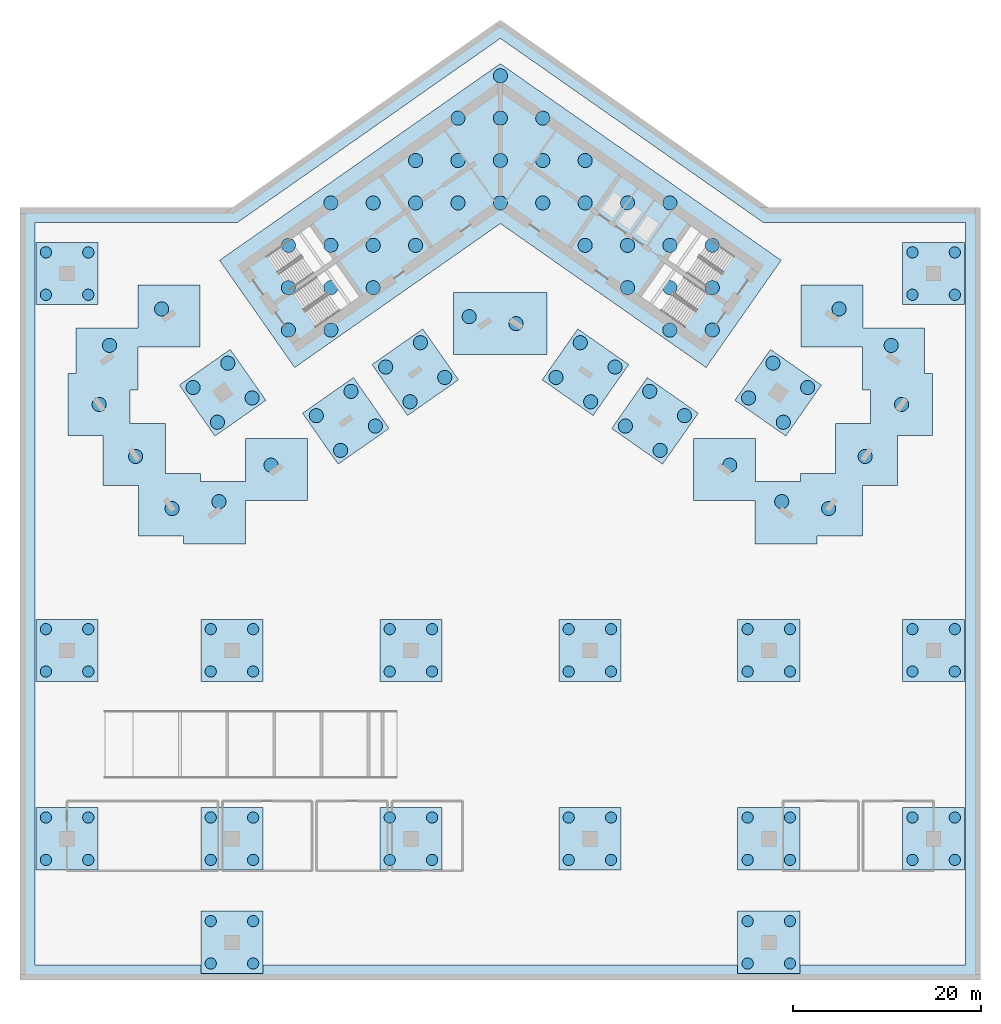
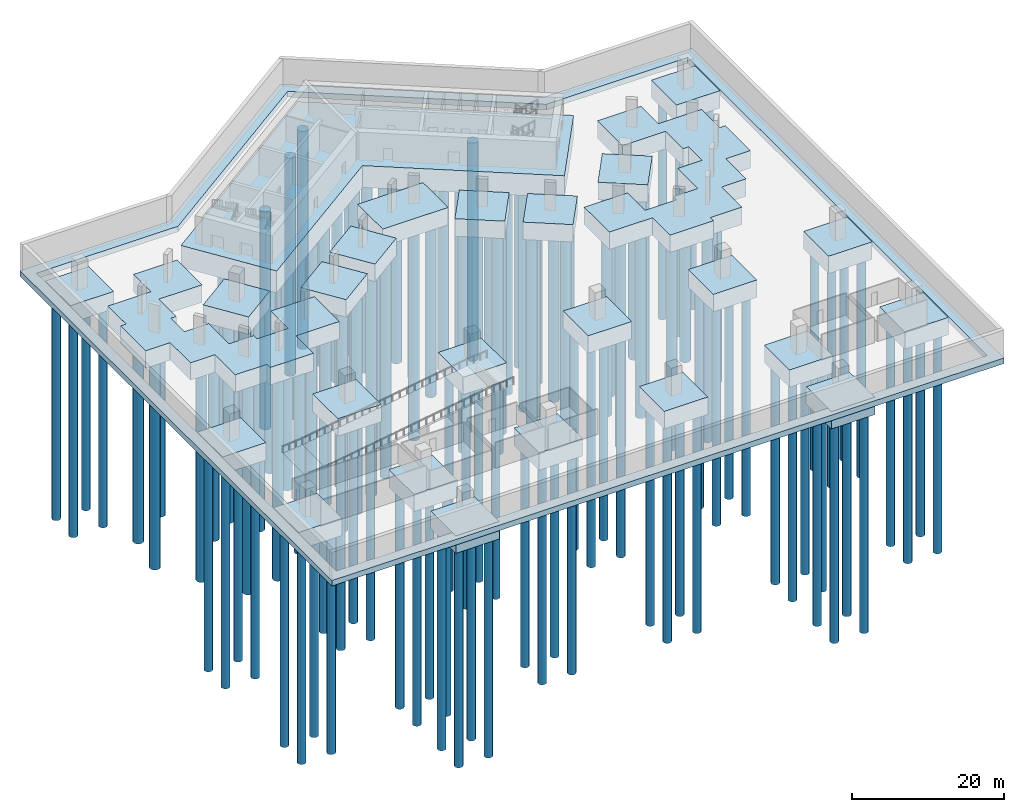
# One storey, part 1 of 13: 140 piles, 27 footings.
"""IFC4 building model written with IfcOpenShell, lengths in metres."""

import ifcopenshell
import ifcopenshell.guid

model = None  # the IFC model being written
_history = None  # IfcOwnerHistory: only IFC2X3 demands one
_inside = {}  # id of a spatial element -> (the spatial element, [elements in it])
_under = {}  # id of a project, library or spatial element -> (it, [spatial elements below it])
_declared = {}  # id of a project -> (the project, [libraries it declares])
_typed = {}  # id of a type object -> (the type object, [elements of that type])
_made_of = {}  # id of a material, layer set ... -> (it, [elements and type objects made of it])


def new_model(schema):
    """Start an empty IFC model of exactly this schema.

    Asked for "IFC4X3", IfcOpenShell would pick the latest addendum, in which some entities
    have other attributes; the version numbers below select the first issue.
    IFC2X3 requires an IfcOwnerHistory on every rooted entity: one is made here for all.
    """
    global model, _history
    if schema == "IFC4X3":
        model = ifcopenshell.file(schema_version=(4, 3, 0, 0))
    else:
        model = ifcopenshell.file(schema=schema)
    _inside.clear()
    _under.clear()
    _declared.clear()
    _typed.clear()
    _made_of.clear()
    _history = None
    if model.schema == "IFC2X3":
        org = make("IfcOrganization", Name="unknown")
        user = make(
            "IfcPersonAndOrganization",
            ThePerson=make("IfcPerson", FamilyName="unknown"),
            TheOrganization=org,
        )
        app = make(
            "IfcApplication",
            ApplicationDeveloper=org,
            Version="unknown",
            ApplicationFullName="unknown",
            ApplicationIdentifier="unknown",
        )
        _history = make(
            "IfcOwnerHistory",
            OwningUser=user,
            OwningApplication=app,
            ChangeAction="ADDED",
            CreationDate=0,
        )
    return model


def make(cls, **values):
    """One entity of the class cls with the attributes given. An attribute that is None is left unset."""
    return model.create_entity(
        cls, **{name: value for name, value in values.items() if value is not None}
    )


def rooted(cls, **values):
    """An entity with a GlobalId (a new one), such as an element, a storey or a relation."""
    return make(cls, GlobalId=ifcopenshell.guid.new(), OwnerHistory=_history, **values)


def si_unit(unit_type, name, prefix=None):
    """IfcSIUnit, for example si_unit("LENGTHUNIT", "METRE", prefix="MILLI")."""
    return make("IfcSIUnit", UnitType=unit_type, Prefix=prefix, Name=name)


def assignment(units):
    """IfcUnitAssignment: the units of a project."""
    return None if units is None else make("IfcUnitAssignment", Units=units)


def point(xyz):
    """IfcCartesianPoint."""
    return None if xyz is None else make("IfcCartesianPoint", Coordinates=xyz)


def direction(xyz):
    """IfcDirection."""
    return None if xyz is None else make("IfcDirection", DirectionRatios=xyz)


def frame(location, z_axis=None, x_axis=None):
    """IfcAxis2Placement3D, a coordinate frame: its origin and axes. An axis left out is left unset."""
    return make(
        "IfcAxis2Placement3D",
        Location=point(location),
        Axis=direction(z_axis),
        RefDirection=direction(x_axis),
    )


def frame_2d(location, x_axis=None):
    """IfcAxis2Placement2D, a coordinate frame in the plane: its origin and x axis."""
    return make(
        "IfcAxis2Placement2D", Location=point(location), RefDirection=direction(x_axis)
    )


def origin():
    """The frame at (0, 0, 0) with its axes left unset."""
    return frame((0.0, 0.0, 0.0))


def origin_2d():
    """The frame at (0, 0) in the plane with its x axis left unset."""
    return frame_2d((0.0, 0.0))


def place(relative_to, where):
    """IfcLocalPlacement: puts the frame where relative to a parent placement (None: the world)."""
    return make(
        "IfcLocalPlacement", PlacementRelTo=relative_to, RelativePlacement=where
    )


def context(
    kind, dimensions, precision=None, world=None, true_north=None, identifier=None
):
    """IfcGeometricRepresentationContext, for example the 3D "Model" context."""
    return make(
        "IfcGeometricRepresentationContext",
        ContextIdentifier=identifier,
        ContextType=kind,
        CoordinateSpaceDimension=dimensions,
        Precision=precision,
        WorldCoordinateSystem=world,
        TrueNorth=true_north,
    )


def subcontext(parent, identifier, kind, view, scale=None):
    """IfcGeometricRepresentationSubContext, for example "Body" below "Model"."""
    return make(
        "IfcGeometricRepresentationSubContext",
        ContextIdentifier=identifier,
        ContextType=kind,
        ParentContext=parent,
        TargetScale=scale,
        TargetView=view,
    )


def project(units=None, contexts=None):
    """IfcProject with its units and contexts."""
    return rooted(
        "IfcProject",
        Name="project",
        RepresentationContexts=contexts,
        UnitsInContext=assignment(units),
    )


def spatial(cls, under=None, at=None, **own):
    """A site, building, storey or space (cls), placed at a placement, below another one or the project."""
    s = rooted(cls, ObjectPlacement=at, **own)
    if under is not None:
        _under.setdefault(under.id(), (under, []))[1].append(s)
    return s


def polyline(points):
    """IfcPolyline through the points."""
    return make("IfcPolyline", Points=[point(p) for p in points])


def profile(cls, at=None, kind="AREA", **sizes):
    """A parametric profile (cls). Its sizes go by their IFC names, for example OverallWidth=200.0."""
    return make(cls, ProfileType=kind, Position=at, **sizes)


def circle(**sizes):
    """IfcCircleProfileDef."""
    return profile("IfcCircleProfileDef", **sizes)


def outline(outer, holes=None, kind="AREA"):
    """IfcArbitraryClosedProfileDef: a profile drawn as a closed curve; with holes, ...WithVoids."""
    if holes is None:
        return make("IfcArbitraryClosedProfileDef", ProfileType=kind, OuterCurve=outer)
    return make(
        "IfcArbitraryProfileDefWithVoids",
        ProfileType=kind,
        OuterCurve=outer,
        InnerCurves=holes,
    )


def extrude(swept, where, along, depth):
    """IfcExtrudedAreaSolid: the profile swept, set in the frame where, extruded along a direction by depth."""
    return make(
        "IfcExtrudedAreaSolid",
        SweptArea=swept,
        Position=where,
        ExtrudedDirection=direction(along),
        Depth=depth,
    )


def shape(context_of_items, identifier, shape_type, items):
    """IfcShapeRepresentation: the items that make up one representation, for example the "Body"."""
    return make(
        "IfcShapeRepresentation",
        ContextOfItems=context_of_items,
        RepresentationIdentifier=identifier,
        RepresentationType=shape_type,
        Items=items,
    )


def material(Name=None, Category=None):
    """IfcMaterial."""
    return make("IfcMaterial", Name=Name, Category=Category)


def layer(
    of_material, thickness, ventilated=None, Name=None, Category=None, Priority=None
):
    """IfcMaterialLayer: one layer of a wall or slab, of a material (None: an air gap)."""
    return make(
        "IfcMaterialLayer",
        Material=of_material,
        LayerThickness=thickness,
        IsVentilated=ventilated,
        Name=Name,
        Category=Category,
        Priority=Priority,
    )


def layer_set(layers, Name=None):
    """IfcMaterialLayerSet."""
    return make("IfcMaterialLayerSet", MaterialLayers=layers, LayerSetName=Name)


def material_profile(
    of_material, cross_section, Name=None, Category=None, Priority=None
):
    """IfcMaterialProfile: a cross section and its material."""
    return make(
        "IfcMaterialProfile",
        Name=Name,
        Material=of_material,
        Profile=cross_section,
        Priority=Priority,
        Category=Category,
    )


def profile_set(profiles, Name=None, composite=None):
    """IfcMaterialProfileSet."""
    return make(
        "IfcMaterialProfileSet",
        Name=Name,
        MaterialProfiles=profiles,
        CompositeProfile=composite,
    )


def made_of(thing, what):
    """Note that an element or type object is made of a material, layer set ...; save() writes the relation."""
    if what is not None:
        _made_of.setdefault(what.id(), (what, []))[1].append(thing)
    return thing


def type_object(cls, material=None, **own):
    """A type object (cls), such as IfcWallType, which elements share."""
    return made_of(rooted(cls, **own), material)


def element(
    cls,
    number,
    at=None,
    inside=None,
    cuts=None,
    type_object=None,
    material=None,
    context=None,
    identifier="Body",
    shape_type=None,
    held_by="IfcProductDefinitionShape",
    body=None,
    shapes=None,
    **own,
):
    """One element of the class cls, such as IfcWall. Its Tag is "e" and its number.

    at: its placement. inside: the storey or other place that contains it. cuts: it is an
    opening in that element (IfcRelVoidsElement). A single representation is given by context,
    identifier, shape_type and body (its items); several are given by shapes. held_by: the class
    of the entity that holds the representations. save() writes the other relations.
    """
    e = rooted(cls, Tag="e%d" % number, ObjectPlacement=at, **own)
    if body is not None:
        shapes = [shape(context, identifier, shape_type, body)]
    if shapes is not None:
        e.Representation = make(held_by, Representations=shapes)
    if inside is not None:
        _inside.setdefault(inside.id(), (inside, []))[1].append(e)
    if cuts is not None:
        rooted(
            "IfcRelVoidsElement", RelatingBuildingElement=cuts, RelatedOpeningElement=e
        )
    if type_object is not None:
        _typed.setdefault(type_object.id(), (type_object, []))[1].append(e)
    return made_of(e, material)


def aggregate(whole, parts):
    """IfcRelAggregates: a whole, such as a stair, and the parts it consists of."""
    return rooted("IfcRelAggregates", RelatingObject=whole, RelatedObjects=parts)


def save(model, path):
    """Write the relations noted so far, then the file.

    IfcRelAggregates (storeys below a building ...), IfcRelContainedInSpatialStructure (elements
    in a storey), IfcRelDefinesByType, IfcRelAssociatesMaterial and IfcRelDeclares: one each for
    every whole, place, type object, material and project.
    """
    for whole, parts in _under.values():
        aggregate(whole, parts)
    for where, things in _inside.values():
        rooted(
            "IfcRelContainedInSpatialStructure",
            RelatedElements=things,
            RelatingStructure=where,
        )
    for kind, things in _typed.values():
        rooted("IfcRelDefinesByType", RelatedObjects=things, RelatingType=kind)
    for what, things in _made_of.values():
        rooted("IfcRelAssociatesMaterial", RelatedObjects=things, RelatingMaterial=what)
    for by, libraries in _declared.values():
        rooted("IfcRelDeclares", RelatingContext=by, RelatedDefinitions=libraries)
    model.write(path)


model = new_model("IFC4")

# Units and contexts
model_context = context("Model", 3, precision=1e-05, world=origin(), true_north=direction((0.0, 1.0)))
body_context = subcontext(model_context, "Body", "Model", "MODEL_VIEW")
ifc_project = project(units=[si_unit("LENGTHUNIT", "METRE"), si_unit("AREAUNIT", "SQUARE_METRE"), si_unit("VOLUMEUNIT", "CUBIC_METRE"), si_unit("PLANEANGLEUNIT", "RADIAN"), si_unit("MASSUNIT", "GRAM", prefix="KILO")], contexts=[model_context])

# Site, building, storey
site_placement = place(None, origin())
site = spatial("IfcSite", under=ifc_project, at=site_placement, CompositionType="ELEMENT")
building_placement = place(site_placement, origin())
building = spatial("IfcBuilding", under=site, at=building_placement, Name="Tel Ilan Convention Tower", CompositionType="ELEMENT")
storey_placement = place(building_placement, frame((0.0, 0.0, -9.0)))
storey = spatial("IfcBuildingStorey", under=building, at=storey_placement, Name="B2", CompositionType="ELEMENT", Elevation=-9.0)

# Footing
ifc_material_1 = material(Name="Concrete C40/50", Category="concrete")
footing_type_1 = type_object("IfcFootingType", Name="Basement Wall Strip Footing 1600x900", PredefinedType="STRIP_FOOTING", material=ifc_material_1)
footing_1_placement = place(storey_placement, frame((0.0, 0.0, -0.89990234375)))
element("IfcFooting", 1, at=footing_1_placement, inside=storey, type_object=footing_type_1, Name="Basement wall strip footing", PredefinedType="STRIP_FOOTING", context=body_context, shape_type="SweptSolid", body=[
    extrude(outline(polyline([(-51.0, -83.0), (51.0, -83.0), (51.0, -1.0), (28.45166015625, -1.0), (0.0, 18.922119140625), (-28.45166015625, -1.0), (-51.0, -1.0), (-51.0, -83.0)]), holes=[polyline([(-49.39990234375, -81.39990234375), (-49.39990234375, -2.60009765625), (-27.947021484375, -2.60009765625), (0.0, 16.96875), (27.947021484375, -2.60009765625), (49.39990234375, -2.60009765625), (49.39990234375, -81.39990234375), (-49.39990234375, -81.39990234375)])]), origin(), (0.0, 0.0, 1.0), 0.89990234375),
])

# Piles
ifc_material_2 = material(Name="Concrete C40/50", Category="concrete")
ifc_material_profile_1 = material_profile(ifc_material_2, circle(Radius=0.60009765625, at=origin_2d()), Name="BORED D1200")
ifc_profile_set_1 = profile_set([ifc_material_profile_1], Name="Concrete C40/50")
pile_type_1 = type_object("IfcPileType", Name="Bored Pile D1200 C40/50", PredefinedType="BORED", material=ifc_profile_set_1)
for number, where, z_axis, x_axis, name in (
    (2, (-30.75, -81.25, -2.800048828125), (0.0, 0.0, -1.0), (1.0, 0.0, 0.0), "Pile PC12-1"),
    (3, (-26.25, -81.25, -2.800048828125), (0.0, 0.0, -1.0), (1.0, 0.0, 0.0), "Pile PC12-2"),
    (4, (-26.25, -76.75, -2.800048828125), (0.0, 0.0, -1.0), (1.0, 0.0, 0.0), "Pile PC12-3"),
    (5, (-30.75, -76.75, -2.800048828125), (0.0, 0.0, -1.0), (1.0, 0.0, 0.0), "Pile PC12-4"),
    (6, (26.25, -81.25, -2.800048828125), (0.0, 0.0, -1.0), (1.0, 0.0, 0.0), "Pile PC15-1"),
    (7, (30.75, -81.25, -2.800048828125), (0.0, 0.0, -1.0), (1.0, 0.0, 0.0), "Pile PC15-2"),
    (8, (30.75, -76.75, -2.800048828125), (0.0, 0.0, -1.0), (1.0, 0.0, 0.0), "Pile PC15-3"),
    (9, (26.25, -76.75, -2.800048828125), (0.0, 0.0, -1.0), (1.0, 0.0, 0.0), "Pile PC15-4"),
    (10, (-48.25, -70.25, -2.800048828125), (0.0, 0.0, -1.0), (1.0, 0.0, 0.0), "Pile PC21-1"),
    (11, (-43.75, -70.25, -2.800048828125), (0.0, 0.0, -1.0), (1.0, 0.0, 0.0), "Pile PC21-2"),
    (12, (-43.75, -65.75, -2.800048828125), (0.0, 0.0, -1.0), (1.0, 0.0, 0.0), "Pile PC21-3"),
    (13, (-48.25, -65.75, -2.800048828125), (0.0, 0.0, -1.0), (1.0, 0.0, 0.0), "Pile PC21-4"),
    (14, (-30.75, -70.25, -2.800048828125), (0.0, 0.0, -1.0), (1.0, 0.0, 0.0), "Pile PC22-1"),
    (15, (-26.25, -70.25, -2.800048828125), (0.0, 0.0, -1.0), (1.0, 0.0, 0.0), "Pile PC22-2"),
    (16, (-26.25, -65.75, -2.800048828125), (0.0, 0.0, -1.0), (1.0, 0.0, 0.0), "Pile PC22-3"),
    (17, (-30.75, -65.75, -2.800048828125), (0.0, 0.0, -1.0), (1.0, 0.0, 0.0), "Pile PC22-4"),
    (18, (-11.75, -70.25, -2.800048828125), (0.0, 0.0, -1.0), (1.0, 0.0, 0.0), "Pile PC23-1"),
    (19, (-7.25, -70.25, -2.800048828125), (0.0, 0.0, -1.0), (1.0, 0.0, 0.0), "Pile PC23-2"),
    (20, (-7.25, -65.75, -2.800048828125), (0.0, 0.0, -1.0), (1.0, 0.0, 0.0), "Pile PC23-3"),
    (21, (-11.75, -65.75, -2.800048828125), (0.0, 0.0, -1.0), (1.0, 0.0, 0.0), "Pile PC23-4"),
    (22, (7.25, -70.25, -2.800048828125), (0.0, 0.0, -1.0), (1.0, 0.0, 0.0), "Pile PC24-1"),
    (23, (11.75, -70.25, -2.800048828125), (0.0, 0.0, -1.0), (1.0, 0.0, 0.0), "Pile PC24-2"),
    (24, (11.75, -65.75, -2.800048828125), (0.0, 0.0, -1.0), (1.0, 0.0, 0.0), "Pile PC24-3"),
    (25, (7.25, -65.75, -2.800048828125), (0.0, 0.0, -1.0), (1.0, 0.0, 0.0), "Pile PC24-4"),
    (26, (26.25, -70.25, -2.800048828125), (0.0, 0.0, -1.0), (1.0, 0.0, 0.0), "Pile PC25-1"),
    (27, (30.75, -70.25, -2.800048828125), (0.0, 0.0, -1.0), (1.0, 0.0, 0.0), "Pile PC25-2"),
    (28, (30.75, -65.75, -2.800048828125), (0.0, 0.0, -1.0), (1.0, 0.0, 0.0), "Pile PC25-3"),
    (29, (26.25, -65.75, -2.800048828125), (0.0, 0.0, -1.0), (1.0, 0.0, 0.0), "Pile PC25-4"),
    (30, (43.75, -70.25, -2.800048828125), (0.0, 0.0, -1.0), (1.0, 0.0, 0.0), "Pile PC26-1"),
    (31, (48.25, -70.25, -2.800048828125), (0.0, 0.0, -1.0), (1.0, 0.0, 0.0), "Pile PC26-2"),
    (32, (48.25, -65.75, -2.800048828125), (0.0, 0.0, -1.0), (1.0, 0.0, 0.0), "Pile PC26-3"),
    (33, (43.75, -65.75, -2.800048828125), (0.0, 0.0, -1.0), (1.0, 0.0, 0.0), "Pile PC26-4"),
    (34, (-48.25, -50.25, -2.800048828125), (0.0, 0.0, -1.0), (1.0, 0.0, 0.0), "Pile PC31-1"),
    (35, (-43.75, -50.25, -2.800048828125), (0.0, 0.0, -1.0), (1.0, 0.0, 0.0), "Pile PC31-2"),
    (36, (-43.75, -45.75, -2.800048828125), (0.0, 0.0, -1.0), (1.0, 0.0, 0.0), "Pile PC31-3"),
    (37, (-48.25, -45.75, -2.800048828125), (0.0, 0.0, -1.0), (1.0, 0.0, 0.0), "Pile PC31-4"),
    (38, (-30.75, -50.25, -2.800048828125), (0.0, 0.0, -1.0), (1.0, 0.0, 0.0), "Pile PC32-1"),
    (39, (-26.25, -50.25, -2.800048828125), (0.0, 0.0, -1.0), (1.0, 0.0, 0.0), "Pile PC32-2"),
    (40, (-26.25, -45.75, -2.800048828125), (0.0, 0.0, -1.0), (1.0, 0.0, 0.0), "Pile PC32-3"),
    (41, (-30.75, -45.75, -2.800048828125), (0.0, 0.0, -1.0), (1.0, 0.0, 0.0), "Pile PC32-4"),
    (42, (-11.75, -50.25, -2.800048828125), (0.0, 0.0, -1.0), (1.0, 0.0, 0.0), "Pile PC33-1"),
    (43, (-7.25, -50.25, -2.800048828125), (0.0, 0.0, -1.0), (1.0, 0.0, 0.0), "Pile PC33-2"),
    (44, (-7.25, -45.75, -2.800048828125), (0.0, 0.0, -1.0), (1.0, 0.0, 0.0), "Pile PC33-3"),
    (45, (-11.75, -45.75, -2.800048828125), (0.0, 0.0, -1.0), (1.0, 0.0, 0.0), "Pile PC33-4"),
    (46, (7.25, -50.25, -2.800048828125), (0.0, 0.0, -1.0), (1.0, 0.0, 0.0), "Pile PC34-1"),
    (47, (11.75, -50.25, -2.800048828125), (0.0, 0.0, -1.0), (1.0, 0.0, 0.0), "Pile PC34-2"),
    (48, (11.75, -45.75, -2.800048828125), (0.0, 0.0, -1.0), (1.0, 0.0, 0.0), "Pile PC34-3"),
    (49, (7.25, -45.75, -2.800048828125), (0.0, 0.0, -1.0), (1.0, 0.0, 0.0), "Pile PC34-4"),
    (50, (26.25, -50.25, -2.800048828125), (0.0, 0.0, -1.0), (1.0, 0.0, 0.0), "Pile PC35-1"),
    (51, (30.75, -50.25, -2.800048828125), (0.0, 0.0, -1.0), (1.0, 0.0, 0.0), "Pile PC35-2"),
    (52, (30.75, -45.75, -2.800048828125), (0.0, 0.0, -1.0), (1.0, 0.0, 0.0), "Pile PC35-3"),
    (53, (26.25, -45.75, -2.800048828125), (0.0, 0.0, -1.0), (1.0, 0.0, 0.0), "Pile PC35-4"),
    (54, (43.75, -50.25, -2.800048828125), (0.0, 0.0, -1.0), (1.0, 0.0, 0.0), "Pile PC36-1"),
    (55, (48.25, -50.25, -2.800048828125), (0.0, 0.0, -1.0), (1.0, 0.0, 0.0), "Pile PC36-2"),
    (56, (48.25, -45.75, -2.800048828125), (0.0, 0.0, -1.0), (1.0, 0.0, 0.0), "Pile PC36-3"),
    (57, (43.75, -45.75, -2.800048828125), (0.0, 0.0, -1.0), (1.0, 0.0, 0.0), "Pile PC36-4"),
    (58, (-48.25, -10.25, -2.800048828125), (0.0, 0.0, -1.0), (1.0, 0.0, 0.0), "Pile PC51-1"),
    (59, (-43.75, -10.25, -2.800048828125), (0.0, 0.0, -1.0), (1.0, 0.0, 0.0), "Pile PC51-2"),
    (60, (-43.75, -5.75, -2.800048828125), (0.0, 0.0, -1.0), (1.0, 0.0, 0.0), "Pile PC51-3"),
    (61, (-48.25, -5.75, -2.800048828125), (0.0, 0.0, -1.0), (1.0, 0.0, 0.0), "Pile PC51-4"),
    (62, (43.75, -10.25, -2.800048828125), (0.0, 0.0, -1.0), (1.0, 0.0, 0.0), "Pile PC56-1"),
    (63, (48.25, -10.25, -2.800048828125), (0.0, 0.0, -1.0), (1.0, 0.0, 0.0), "Pile PC56-2"),
    (64, (48.25, -5.75, -2.800048828125), (0.0, 0.0, -1.0), (1.0, 0.0, 0.0), "Pile PC56-3"),
    (65, (43.75, -5.75, -2.800048828125), (0.0, 0.0, -1.0), (1.0, 0.0, 0.0), "Pile PC56-4"),
):
    element("IfcPile", number, at=place(storey_placement, frame(where, z_axis=z_axis, x_axis=x_axis)), inside=storey, type_object=pile_type_1, Name=name, PredefinedType="BORED", context=body_context, shape_type="SweptSolid", body=[
        extrude(circle(Radius=0.60009765625, at=origin_2d()), origin(), (0.0, 0.0, 1.0), 35.0),
    ])
ifc_material_3 = material(Name="Concrete C40/50", Category="concrete")
ifc_material_profile_2 = material_profile(ifc_material_3, circle(Radius=0.75, at=origin_2d()), Name="BORED D1500")
ifc_profile_set_2 = profile_set([ifc_material_profile_2], Name="Concrete C40/50")
pile_type_2 = type_object("IfcPileType", Name="Bored Pile D1500 C40/50", PredefinedType="BORED", material=ifc_profile_set_2)
for number, where, z_axis, x_axis, name in (
    (66, (-8.485107421875, -15.34130859375, -2.800048828125), (0.0, 0.0, -1.0), (1.0, 0.0, 0.0), "Pile W-F2-1"),
    (67, (-12.17138671875, -17.92236328125, -2.800048828125), (0.0, 0.0, -1.0), (1.0, 0.0, 0.0), "Pile W-F2-2"),
    (68, (-9.590087890625, -21.608642578125, -2.800048828125), (0.0, 0.0, -1.0), (1.0, 0.0, 0.0), "Pile W-F2-3"),
    (69, (-5.904052734375, -19.027587890625, -2.800048828125), (0.0, 0.0, -1.0), (1.0, 0.0, 0.0), "Pile W-F2-4"),
    (70, (-15.857421875, -20.50341796875, -2.800048828125), (0.0, 0.0, -1.0), (1.0, 0.0, 0.0), "Pile W-F3-1"),
    (71, (-19.543701171875, -23.084716796875, -2.800048828125), (0.0, 0.0, -1.0), (1.0, 0.0, 0.0), "Pile W-F3-2"),
    (72, (-16.962646484375, -26.770751953125, -2.800048828125), (0.0, 0.0, -1.0), (1.0, 0.0, 0.0), "Pile W-F3-3"),
    (73, (-13.2763671875, -24.189697265625, -2.800048828125), (0.0, 0.0, -1.0), (1.0, 0.0, 0.0), "Pile W-F3-4"),
    (74, (-42.596923828125, -21.8916015625, -2.800048828125), (0.0, 0.0, -1.0), (1.0, 0.0, 0.0), "Pile W-B4-1"),
    (75, (-38.725341796875, -27.4208984375, -2.800048828125), (0.0, 0.0, -1.0), (1.0, 0.0, 0.0), "Pile W-B4-2"),
    (76, (-34.853759765625, -32.9501953125, -2.800048828125), (0.0, 0.0, -1.0), (1.0, 0.0, 0.0), "Pile W-B4-3"),
    (77, (-24.34765625, -28.340576171875, -2.800048828125), (0.0, 0.0, -1.0), (1.0, 0.0, 0.0), "Pile W-B4-4"),
    (78, (-35.962646484375, -11.752685546875, -2.800048828125), (0.0, 0.0, -1.0), (1.0, 0.0, 0.0), "Pile W-B4-5"),
    (79, (-29.876953125, -32.21240234375, -2.800048828125), (0.0, 0.0, -1.0), (1.0, 0.0, 0.0), "Pile W-B4-6"),
    (80, (-41.491943359375, -15.62451171875, -2.800048828125), (0.0, 0.0, -1.0), (1.0, 0.0, 0.0), "Pile W-B4-7"),
    (81, (-28.93701171875, -17.51513671875, -2.800048828125), (0.0, 0.0, -1.0), (1.0, 0.0, 0.0), "Pile W-M4-1"),
    (82, (-32.623046875, -20.09619140625, -2.800048828125), (0.0, 0.0, -1.0), (1.0, 0.0, 0.0), "Pile W-M4-2"),
    (83, (-30.0419921875, -23.782470703125, -2.800048828125), (0.0, 0.0, -1.0), (1.0, 0.0, 0.0), "Pile W-M4-3"),
    (84, (-26.355712890625, -21.201416015625, -2.800048828125), (0.0, 0.0, -1.0), (1.0, 0.0, 0.0), "Pile W-M4-4"),
    (85, (1.665283203125, -13.312744140625, -2.800048828125), (0.0, 0.0, -1.0), (1.0, 0.0, 0.0), "Pile E-F1-1"),
    (86, (-3.311279296875, -12.57470703125, -2.800048828125), (0.0, 0.0, -1.0), (1.0, 0.0, 0.0), "Pile E-F1-2"),
    (87, (5.904052734375, -19.027587890625, -2.800048828125), (0.0, 0.0, -1.0), (1.0, 0.0, 0.0), "Pile E-F2-1"),
    (88, (9.590087890625, -21.608642578125, -2.800048828125), (0.0, 0.0, -1.0), (1.0, 0.0, 0.0), "Pile E-F2-2"),
    (89, (12.17138671875, -17.92236328125, -2.800048828125), (0.0, 0.0, -1.0), (1.0, 0.0, 0.0), "Pile E-F2-3"),
    (90, (8.485107421875, -15.34130859375, -2.800048828125), (0.0, 0.0, -1.0), (1.0, 0.0, 0.0), "Pile E-F2-4"),
    (91, (13.2763671875, -24.189697265625, -2.800048828125), (0.0, 0.0, -1.0), (1.0, 0.0, 0.0), "Pile E-F3-1"),
    (92, (16.962646484375, -26.770751953125, -2.800048828125), (0.0, 0.0, -1.0), (1.0, 0.0, 0.0), "Pile E-F3-2"),
    (93, (19.543701171875, -23.084716796875, -2.800048828125), (0.0, 0.0, -1.0), (1.0, 0.0, 0.0), "Pile E-F3-3"),
    (94, (15.857421875, -20.50341796875, -2.800048828125), (0.0, 0.0, -1.0), (1.0, 0.0, 0.0), "Pile E-F3-4"),
    (95, (42.596923828125, -21.8916015625, -2.800048828125), (0.0, 0.0, -1.0), (1.0, 0.0, 0.0), "Pile E-B4-1"),
    (96, (38.725341796875, -27.4208984375, -2.800048828125), (0.0, 0.0, -1.0), (1.0, 0.0, 0.0), "Pile E-B4-2"),
    (97, (34.853759765625, -32.9501953125, -2.800048828125), (0.0, 0.0, -1.0), (1.0, 0.0, 0.0), "Pile E-B4-3"),
    (98, (24.34765625, -28.340576171875, -2.800048828125), (0.0, 0.0, -1.0), (1.0, 0.0, 0.0), "Pile E-B4-4"),
    (99, (35.962646484375, -11.752685546875, -2.800048828125), (0.0, 0.0, -1.0), (1.0, 0.0, 0.0), "Pile E-B4-5"),
    (100, (29.876953125, -32.21240234375, -2.800048828125), (0.0, 0.0, -1.0), (1.0, 0.0, 0.0), "Pile E-B4-6"),
    (101, (41.491943359375, -15.62451171875, -2.800048828125), (0.0, 0.0, -1.0), (1.0, 0.0, 0.0), "Pile E-B4-7"),
    (102, (26.355712890625, -21.201416015625, -2.800048828125), (0.0, 0.0, -1.0), (1.0, 0.0, 0.0), "Pile E-M4-1"),
    (103, (30.0419921875, -23.782470703125, -2.800048828125), (0.0, 0.0, -1.0), (1.0, 0.0, 0.0), "Pile E-M4-2"),
    (104, (32.623046875, -20.09619140625, -2.800048828125), (0.0, 0.0, -1.0), (1.0, 0.0, 0.0), "Pile E-M4-3"),
    (105, (28.93701171875, -17.51513671875, -2.800048828125), (0.0, 0.0, -1.0), (1.0, 0.0, 0.0), "Pile E-M4-4"),
    (106, (-22.5, -14.0, -3.5), (0.0, 0.0, -1.0), (1.0, 0.0, 0.0), "Pile CORE-1"),
    (107, (-22.5, -9.5, -3.5), (0.0, 0.0, -1.0), (1.0, 0.0, 0.0), "Pile CORE-2"),
    (108, (-22.5, -5.0, -3.5), (0.0, 0.0, -1.0), (1.0, 0.0, 0.0), "Pile CORE-3"),
    (109, (-18.0, -14.0, -3.5), (0.0, 0.0, -1.0), (1.0, 0.0, 0.0), "Pile CORE-4"),
    (110, (-18.0, -9.5, -3.5), (0.0, 0.0, -1.0), (1.0, 0.0, 0.0), "Pile CORE-5"),
    (111, (-18.0, -5.0, -3.5), (0.0, 0.0, -1.0), (1.0, 0.0, 0.0), "Pile CORE-6"),
    (112, (-18.0, -0.5, -3.5), (0.0, 0.0, -1.0), (1.0, 0.0, 0.0), "Pile CORE-7"),
    (113, (-13.5, -9.5, -3.5), (0.0, 0.0, -1.0), (1.0, 0.0, 0.0), "Pile CORE-8"),
    (114, (-13.5, -5.0, -3.5), (0.0, 0.0, -1.0), (1.0, 0.0, 0.0), "Pile CORE-9"),
    (115, (-13.5, -0.5, -3.5), (0.0, 0.0, -1.0), (1.0, 0.0, 0.0), "Pile CORE-10"),
    (116, (-9.0, -5.0, -3.5), (0.0, 0.0, -1.0), (1.0, 0.0, 0.0), "Pile CORE-11"),
    (117, (-9.0, -0.5, -3.5), (0.0, 0.0, -1.0), (1.0, 0.0, 0.0), "Pile CORE-12"),
    (118, (-9.0, 4.0, -3.5), (0.0, 0.0, -1.0), (1.0, 0.0, 0.0), "Pile CORE-13"),
    (119, (-4.5, -0.5, -3.5), (0.0, 0.0, -1.0), (1.0, 0.0, 0.0), "Pile CORE-14"),
    (120, (-4.5, 4.0, -3.5), (0.0, 0.0, -1.0), (1.0, 0.0, 0.0), "Pile CORE-15"),
    (121, (-4.5, 8.5, -3.5), (0.0, 0.0, -1.0), (1.0, 0.0, 0.0), "Pile CORE-16"),
    (122, (0.0, -0.5, -3.5), (0.0, 0.0, -1.0), (1.0, 0.0, 0.0), "Pile CORE-17"),
    (123, (0.0, 4.0, -3.5), (0.0, 0.0, -1.0), (1.0, 0.0, 0.0), "Pile CORE-18"),
    (124, (0.0, 8.5, -3.5), (0.0, 0.0, -1.0), (1.0, 0.0, 0.0), "Pile CORE-19"),
    (125, (0.0, 13.0, -3.5), (0.0, 0.0, -1.0), (1.0, 0.0, 0.0), "Pile CORE-20"),
    (126, (4.5, -0.5, -3.5), (0.0, 0.0, -1.0), (1.0, 0.0, 0.0), "Pile CORE-21"),
    (127, (4.5, 4.0, -3.5), (0.0, 0.0, -1.0), (1.0, 0.0, 0.0), "Pile CORE-22"),
    (128, (4.5, 8.5, -3.5), (0.0, 0.0, -1.0), (1.0, 0.0, 0.0), "Pile CORE-23"),
    (129, (9.0, -5.0, -3.5), (0.0, 0.0, -1.0), (1.0, 0.0, 0.0), "Pile CORE-24"),
    (130, (9.0, -0.5, -3.5), (0.0, 0.0, -1.0), (1.0, 0.0, 0.0), "Pile CORE-25"),
    (131, (9.0, 4.0, -3.5), (0.0, 0.0, -1.0), (1.0, 0.0, 0.0), "Pile CORE-26"),
    (132, (13.5, -9.5, -3.5), (0.0, 0.0, -1.0), (1.0, 0.0, 0.0), "Pile CORE-27"),
    (133, (13.5, -5.0, -3.5), (0.0, 0.0, -1.0), (1.0, 0.0, 0.0), "Pile CORE-28"),
    (134, (13.5, -0.5, -3.5), (0.0, 0.0, -1.0), (1.0, 0.0, 0.0), "Pile CORE-29"),
    (135, (18.0, -14.0, -3.5), (0.0, 0.0, -1.0), (1.0, 0.0, 0.0), "Pile CORE-30"),
    (136, (18.0, -9.5, -3.5), (0.0, 0.0, -1.0), (1.0, 0.0, 0.0), "Pile CORE-31"),
    (137, (18.0, -5.0, -3.5), (0.0, 0.0, -1.0), (1.0, 0.0, 0.0), "Pile CORE-32"),
    (138, (18.0, -0.5, -3.5), (0.0, 0.0, -1.0), (1.0, 0.0, 0.0), "Pile CORE-33"),
    (139, (22.5, -14.0, -3.5), (0.0, 0.0, -1.0), (1.0, 0.0, 0.0), "Pile CORE-34"),
    (140, (22.5, -9.5, -3.5), (0.0, 0.0, -1.0), (1.0, 0.0, 0.0), "Pile CORE-35"),
    (141, (22.5, -5.0, -3.5), (0.0, 0.0, -1.0), (1.0, 0.0, 0.0), "Pile CORE-36"),
):
    element("IfcPile", number, at=place(storey_placement, frame(where, z_axis=z_axis, x_axis=x_axis)), inside=storey, type_object=pile_type_2, Name=name, PredefinedType="BORED", context=body_context, shape_type="SweptSolid", body=[
        extrude(circle(Radius=0.75, at=origin_2d()), origin(), (0.0, 0.0, 1.0), 35.0),
    ])

# Footings
ifc_material_4 = material(Name="Concrete C40/50", Category="concrete")
ifc_layer_1 = layer(ifc_material_4, 3.5)
ifc_layer_set_1 = layer_set([ifc_layer_1], Name="Core Raft Cap 3500 mm C40/50")
footing_type_2 = type_object("IfcFootingType", Name="Core Raft Cap 3500 mm C40/50", PredefinedType="PILE_CAP", material=ifc_layer_set_1)
footing_2_placement = place(storey_placement, frame((0.0, 0.0, -3.5)))
element("IfcFooting", 142, at=footing_2_placement, inside=storey, type_object=footing_type_2, Name="Core raft cap", PredefinedType="PILE_CAP", context=body_context, shape_type="SweptSolid", body=[
    extrude(outline(polyline([(-21.838134765625, -17.97705078125), (0.0, -2.685791015625), (21.838134765625, -17.97705078125), (29.810791015625, -6.5908203125), (0.0, 14.283203125), (-29.810791015625, -6.5908203125), (-21.838134765625, -17.97705078125)])), origin(), (0.0, 0.0, 1.0), 3.5),
])
ifc_material_5 = material(Name="Concrete C40/50", Category="concrete")
ifc_layer_2 = layer(ifc_material_5, 2.800048828125)
ifc_layer_set_2 = layer_set([ifc_layer_2], Name="Pile Cap 2800 mm C40/50")
footing_type_3 = type_object("IfcFootingType", Name="Pile Cap 2800 mm C40/50", PredefinedType="PILE_CAP", material=ifc_layer_set_2)
footing_3_placement = place(storey_placement, frame((0.0, 0.0, -2.800048828125)))
element("IfcFooting", 143, at=footing_3_placement, inside=storey, type_object=footing_type_3, Name="Pile cap W-F2", PredefinedType="PILE_CAP", context=body_context, shape_type="SweptSolid", body=[
    extrude(outline(polyline([(-8.227294921875, -13.87890625), (-13.6337890625, -17.66455078125), (-9.84814453125, -23.07080078125), (-4.441650390625, -19.285400390625), (-8.227294921875, -13.87890625)])), origin(), (0.0, 0.0, 1.0), 2.800048828125),
])
footing_4_placement = place(storey_placement, frame((0.0, 0.0, -2.800048828125)))
element("IfcFooting", 144, at=footing_4_placement, inside=storey, type_object=footing_type_3, Name="Pile cap W-F3", PredefinedType="PILE_CAP", context=body_context, shape_type="SweptSolid", body=[
    extrude(outline(polyline([(-15.599609375, -19.041015625), (-21.006103515625, -22.82666015625), (-17.220458984375, -28.233154296875), (-11.81396484375, -24.447509765625), (-15.599609375, -19.041015625)])), origin(), (0.0, 0.0, 1.0), 2.800048828125),
])
footing_5_placement = place(storey_placement, frame((0.0, 0.0, -2.800048828125)))
element("IfcFooting", 145, at=footing_5_placement, inside=storey, type_object=footing_type_3, Name="Pile cap W-B4", PredefinedType="PILE_CAP", context=body_context, shape_type="SweptSolid", body=[
    extrude(outline(polyline([(-33.635498046875, -35.8408203125), (-33.635498046875, -36.68798828125), (-27.03564453125, -36.68798828125), (-27.03564453125, -32.099365234375), (-20.482421875, -32.099365234375), (-20.482421875, -25.499267578125), (-27.08251953125, -25.499267578125), (-27.08251953125, -30.087890625), (-31.840576171875, -30.087890625), (-31.840576171875, -29.24072265625), (-35.56884765625, -29.24072265625), (-35.56884765625, -23.916259765625), (-39.297119140625, -23.916259765625), (-39.297119140625, -20.38671875), (-38.44970703125, -20.38671875), (-38.44970703125, -15.798095703125), (-31.896484375, -15.798095703125), (-31.896484375, -9.1982421875), (-38.49658203125, -9.1982421875), (-38.49658203125, -13.786865234375), (-45.0498046875, -13.786865234375), (-45.0498046875, -18.591796875), (-45.89697265625, -18.591796875), (-45.89697265625, -25.191650390625), (-42.168701171875, -25.191650390625), (-42.168701171875, -30.51611328125), (-38.4404296875, -30.51611328125), (-38.4404296875, -35.8408203125), (-33.635498046875, -35.8408203125)])), origin(), (0.0, 0.0, 1.0), 2.800048828125),
])
footing_6_placement = place(storey_placement, frame((0.0, 0.0, -2.800048828125)))
element("IfcFooting", 146, at=footing_6_placement, inside=storey, type_object=footing_type_3, Name="Pile cap W-M4", PredefinedType="PILE_CAP", context=body_context, shape_type="SweptSolid", body=[
    extrude(outline(polyline([(-28.67919921875, -16.052734375), (-34.08544921875, -19.83837890625), (-30.2998046875, -25.244873046875), (-24.8935546875, -21.459228515625), (-28.67919921875, -16.052734375)])), origin(), (0.0, 0.0, 1.0), 2.800048828125),
])
footing_7_placement = place(storey_placement, frame((0.0, 0.0, -2.800048828125)))
element("IfcFooting", 147, at=footing_7_placement, inside=storey, type_object=footing_type_3, Name="Pile cap E-F1", PredefinedType="PILE_CAP", context=body_context, shape_type="SweptSolid", body=[
    extrude(outline(polyline([(-4.96533203125, -16.61279296875), (4.96533203125, -16.61279296875), (4.96533203125, -10.0126953125), (-4.96533203125, -10.0126953125), (-4.96533203125, -16.61279296875)])), origin(), (0.0, 0.0, 1.0), 2.800048828125),
])
footing_8_placement = place(storey_placement, frame((0.0, 0.0, -2.800048828125)))
element("IfcFooting", 148, at=footing_8_placement, inside=storey, type_object=footing_type_3, Name="Pile cap E-F2", PredefinedType="PILE_CAP", context=body_context, shape_type="SweptSolid", body=[
    extrude(outline(polyline([(4.441650390625, -19.285400390625), (9.84814453125, -23.07080078125), (13.6337890625, -17.66455078125), (8.227294921875, -13.87890625), (4.441650390625, -19.285400390625)])), origin(), (0.0, 0.0, 1.0), 2.800048828125),
])
footing_9_placement = place(storey_placement, frame((0.0, 0.0, -2.800048828125)))
element("IfcFooting", 149, at=footing_9_placement, inside=storey, type_object=footing_type_3, Name="Pile cap E-F3", PredefinedType="PILE_CAP", context=body_context, shape_type="SweptSolid", body=[
    extrude(outline(polyline([(11.81396484375, -24.447509765625), (17.220458984375, -28.233154296875), (21.006103515625, -22.82666015625), (15.599609375, -19.041015625), (11.81396484375, -24.447509765625)])), origin(), (0.0, 0.0, 1.0), 2.800048828125),
])
footing_10_placement = place(storey_placement, frame((0.0, 0.0, -2.800048828125)))
element("IfcFooting", 150, at=footing_10_placement, inside=storey, type_object=footing_type_3, Name="Pile cap E-B4", PredefinedType="PILE_CAP", context=body_context, shape_type="SweptSolid", body=[
    extrude(outline(polyline([(27.03564453125, -32.099365234375), (27.03564453125, -36.68798828125), (33.635498046875, -36.68798828125), (33.635498046875, -35.8408203125), (38.4404296875, -35.8408203125), (38.4404296875, -30.51611328125), (42.168701171875, -30.51611328125), (42.168701171875, -25.191650390625), (45.89697265625, -25.191650390625), (45.89697265625, -18.591796875), (45.0498046875, -18.591796875), (45.0498046875, -13.786865234375), (38.49658203125, -13.786865234375), (38.49658203125, -9.1982421875), (31.896484375, -9.1982421875), (31.896484375, -15.798095703125), (38.44970703125, -15.798095703125), (38.44970703125, -20.38671875), (39.297119140625, -20.38671875), (39.297119140625, -23.916259765625), (35.56884765625, -23.916259765625), (35.56884765625, -29.24072265625), (31.840576171875, -29.24072265625), (31.840576171875, -30.087890625), (27.08251953125, -30.087890625), (27.08251953125, -25.499267578125), (20.482421875, -25.499267578125), (20.482421875, -32.099365234375), (27.03564453125, -32.099365234375)])), origin(), (0.0, 0.0, 1.0), 2.800048828125),
])
footing_11_placement = place(storey_placement, frame((0.0, 0.0, -2.800048828125)))
element("IfcFooting", 151, at=footing_11_placement, inside=storey, type_object=footing_type_3, Name="Pile cap E-M4", PredefinedType="PILE_CAP", context=body_context, shape_type="SweptSolid", body=[
    extrude(outline(polyline([(24.8935546875, -21.459228515625), (30.2998046875, -25.244873046875), (34.08544921875, -19.83837890625), (28.67919921875, -16.052734375), (24.8935546875, -21.459228515625)])), origin(), (0.0, 0.0, 1.0), 2.800048828125),
])
footing_12_placement = place(storey_placement, frame((0.0, 0.0, -2.800048828125)))
element("IfcFooting", 152, at=footing_12_placement, inside=storey, type_object=footing_type_3, Name="Pile cap PC12", PredefinedType="PILE_CAP", context=body_context, shape_type="SweptSolid", body=[
    extrude(outline(polyline([(-31.800048828125, -82.300048828125), (-25.199951171875, -82.300048828125), (-25.199951171875, -75.699951171875), (-31.800048828125, -75.699951171875), (-31.800048828125, -82.300048828125)])), origin(), (0.0, 0.0, 1.0), 2.800048828125),
])
footing_13_placement = place(storey_placement, frame((0.0, 0.0, -2.800048828125)))
element("IfcFooting", 153, at=footing_13_placement, inside=storey, type_object=footing_type_3, Name="Pile cap PC15", PredefinedType="PILE_CAP", context=body_context, shape_type="SweptSolid", body=[
    extrude(outline(polyline([(25.199951171875, -82.300048828125), (31.800048828125, -82.300048828125), (31.800048828125, -75.699951171875), (25.199951171875, -75.699951171875), (25.199951171875, -82.300048828125)])), origin(), (0.0, 0.0, 1.0), 2.800048828125),
])
footing_14_placement = place(storey_placement, frame((0.0, 0.0, -2.800048828125)))
element("IfcFooting", 154, at=footing_14_placement, inside=storey, type_object=footing_type_3, Name="Pile cap PC21", PredefinedType="PILE_CAP", context=body_context, shape_type="SweptSolid", body=[
    extrude(outline(polyline([(-49.300048828125, -71.300048828125), (-42.699951171875, -71.300048828125), (-42.699951171875, -64.699951171875), (-49.300048828125, -64.699951171875), (-49.300048828125, -71.300048828125)])), origin(), (0.0, 0.0, 1.0), 2.800048828125),
])
footing_15_placement = place(storey_placement, frame((0.0, 0.0, -2.800048828125)))
element("IfcFooting", 155, at=footing_15_placement, inside=storey, type_object=footing_type_3, Name="Pile cap PC22", PredefinedType="PILE_CAP", context=body_context, shape_type="SweptSolid", body=[
    extrude(outline(polyline([(-31.800048828125, -71.300048828125), (-25.199951171875, -71.300048828125), (-25.199951171875, -64.699951171875), (-31.800048828125, -64.699951171875), (-31.800048828125, -71.300048828125)])), origin(), (0.0, 0.0, 1.0), 2.800048828125),
])
footing_16_placement = place(storey_placement, frame((0.0, 0.0, -2.800048828125)))
element("IfcFooting", 156, at=footing_16_placement, inside=storey, type_object=footing_type_3, Name="Pile cap PC23", PredefinedType="PILE_CAP", context=body_context, shape_type="SweptSolid", body=[
    extrude(outline(polyline([(-12.800048828125, -71.300048828125), (-6.199951171875, -71.300048828125), (-6.199951171875, -64.699951171875), (-12.800048828125, -64.699951171875), (-12.800048828125, -71.300048828125)])), origin(), (0.0, 0.0, 1.0), 2.800048828125),
])
footing_17_placement = place(storey_placement, frame((0.0, 0.0, -2.800048828125)))
element("IfcFooting", 157, at=footing_17_placement, inside=storey, type_object=footing_type_3, Name="Pile cap PC24", PredefinedType="PILE_CAP", context=body_context, shape_type="SweptSolid", body=[
    extrude(outline(polyline([(6.199951171875, -71.300048828125), (12.800048828125, -71.300048828125), (12.800048828125, -64.699951171875), (6.199951171875, -64.699951171875), (6.199951171875, -71.300048828125)])), origin(), (0.0, 0.0, 1.0), 2.800048828125),
])
footing_18_placement = place(storey_placement, frame((0.0, 0.0, -2.800048828125)))
element("IfcFooting", 158, at=footing_18_placement, inside=storey, type_object=footing_type_3, Name="Pile cap PC25", PredefinedType="PILE_CAP", context=body_context, shape_type="SweptSolid", body=[
    extrude(outline(polyline([(25.199951171875, -71.300048828125), (31.800048828125, -71.300048828125), (31.800048828125, -64.699951171875), (25.199951171875, -64.699951171875), (25.199951171875, -71.300048828125)])), origin(), (0.0, 0.0, 1.0), 2.800048828125),
])
footing_19_placement = place(storey_placement, frame((0.0, 0.0, -2.800048828125)))
element("IfcFooting", 159, at=footing_19_placement, inside=storey, type_object=footing_type_3, Name="Pile cap PC26", PredefinedType="PILE_CAP", context=body_context, shape_type="SweptSolid", body=[
    extrude(outline(polyline([(42.699951171875, -71.300048828125), (49.300048828125, -71.300048828125), (49.300048828125, -64.699951171875), (42.699951171875, -64.699951171875), (42.699951171875, -71.300048828125)])), origin(), (0.0, 0.0, 1.0), 2.800048828125),
])
footing_20_placement = place(storey_placement, frame((0.0, 0.0, -2.800048828125)))
element("IfcFooting", 160, at=footing_20_placement, inside=storey, type_object=footing_type_3, Name="Pile cap PC31", PredefinedType="PILE_CAP", context=body_context, shape_type="SweptSolid", body=[
    extrude(outline(polyline([(-49.300048828125, -51.300048828125), (-42.699951171875, -51.300048828125), (-42.699951171875, -44.699951171875), (-49.300048828125, -44.699951171875), (-49.300048828125, -51.300048828125)])), origin(), (0.0, 0.0, 1.0), 2.800048828125),
])
footing_21_placement = place(storey_placement, frame((0.0, 0.0, -2.800048828125)))
element("IfcFooting", 161, at=footing_21_placement, inside=storey, type_object=footing_type_3, Name="Pile cap PC32", PredefinedType="PILE_CAP", context=body_context, shape_type="SweptSolid", body=[
    extrude(outline(polyline([(-31.800048828125, -51.300048828125), (-25.199951171875, -51.300048828125), (-25.199951171875, -44.699951171875), (-31.800048828125, -44.699951171875), (-31.800048828125, -51.300048828125)])), origin(), (0.0, 0.0, 1.0), 2.800048828125),
])
footing_22_placement = place(storey_placement, frame((0.0, 0.0, -2.800048828125)))
element("IfcFooting", 162, at=footing_22_placement, inside=storey, type_object=footing_type_3, Name="Pile cap PC33", PredefinedType="PILE_CAP", context=body_context, shape_type="SweptSolid", body=[
    extrude(outline(polyline([(-12.800048828125, -51.300048828125), (-6.199951171875, -51.300048828125), (-6.199951171875, -44.699951171875), (-12.800048828125, -44.699951171875), (-12.800048828125, -51.300048828125)])), origin(), (0.0, 0.0, 1.0), 2.800048828125),
])
footing_23_placement = place(storey_placement, frame((0.0, 0.0, -2.800048828125)))
element("IfcFooting", 163, at=footing_23_placement, inside=storey, type_object=footing_type_3, Name="Pile cap PC34", PredefinedType="PILE_CAP", context=body_context, shape_type="SweptSolid", body=[
    extrude(outline(polyline([(6.199951171875, -51.300048828125), (12.800048828125, -51.300048828125), (12.800048828125, -44.699951171875), (6.199951171875, -44.699951171875), (6.199951171875, -51.300048828125)])), origin(), (0.0, 0.0, 1.0), 2.800048828125),
])
footing_24_placement = place(storey_placement, frame((0.0, 0.0, -2.800048828125)))
element("IfcFooting", 164, at=footing_24_placement, inside=storey, type_object=footing_type_3, Name="Pile cap PC35", PredefinedType="PILE_CAP", context=body_context, shape_type="SweptSolid", body=[
    extrude(outline(polyline([(25.199951171875, -51.300048828125), (31.800048828125, -51.300048828125), (31.800048828125, -44.699951171875), (25.199951171875, -44.699951171875), (25.199951171875, -51.300048828125)])), origin(), (0.0, 0.0, 1.0), 2.800048828125),
])
footing_25_placement = place(storey_placement, frame((0.0, 0.0, -2.800048828125)))
element("IfcFooting", 165, at=footing_25_placement, inside=storey, type_object=footing_type_3, Name="Pile cap PC36", PredefinedType="PILE_CAP", context=body_context, shape_type="SweptSolid", body=[
    extrude(outline(polyline([(42.699951171875, -51.300048828125), (49.300048828125, -51.300048828125), (49.300048828125, -44.699951171875), (42.699951171875, -44.699951171875), (42.699951171875, -51.300048828125)])), origin(), (0.0, 0.0, 1.0), 2.800048828125),
])
footing_26_placement = place(storey_placement, frame((0.0, 0.0, -2.800048828125)))
element("IfcFooting", 166, at=footing_26_placement, inside=storey, type_object=footing_type_3, Name="Pile cap PC51", PredefinedType="PILE_CAP", context=body_context, shape_type="SweptSolid", body=[
    extrude(outline(polyline([(-49.300048828125, -11.300048828125), (-42.699951171875, -11.300048828125), (-42.699951171875, -4.699951171875), (-49.300048828125, -4.699951171875), (-49.300048828125, -11.300048828125)])), origin(), (0.0, 0.0, 1.0), 2.800048828125),
])
footing_27_placement = place(storey_placement, frame((0.0, 0.0, -2.800048828125)))
element("IfcFooting", 167, at=footing_27_placement, inside=storey, type_object=footing_type_3, Name="Pile cap PC56", PredefinedType="PILE_CAP", context=body_context, shape_type="SweptSolid", body=[
    extrude(outline(polyline([(42.699951171875, -11.300048828125), (49.300048828125, -11.300048828125), (49.300048828125, -4.699951171875), (42.699951171875, -4.699951171875), (42.699951171875, -11.300048828125)])), origin(), (0.0, 0.0, 1.0), 2.800048828125),
])

save(model, "model.ifc")
